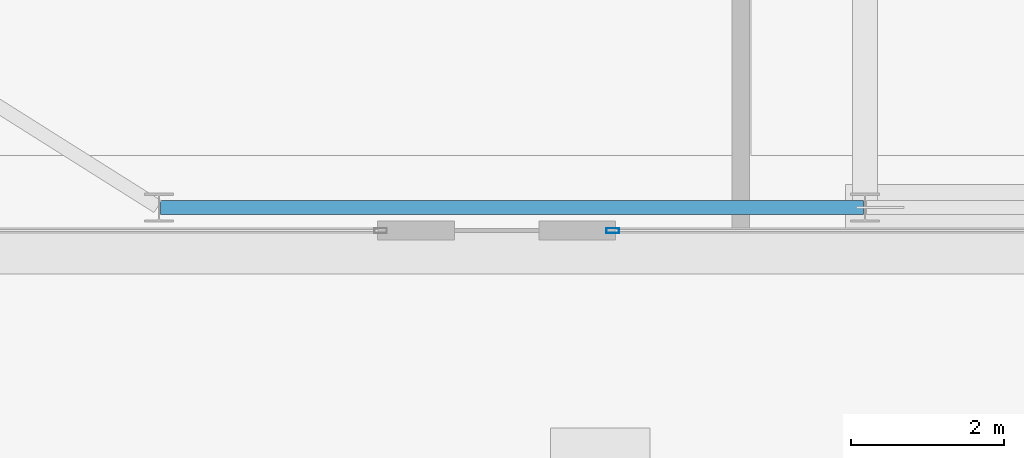
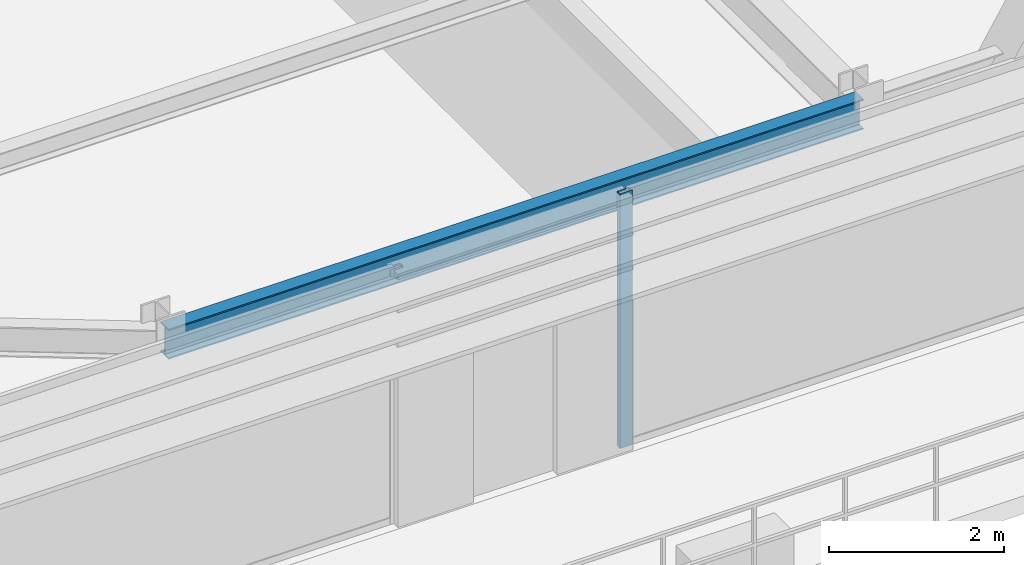
# One storey, part 5 of 33: 1 beam, 1 member, 1 element without a shape of its own.
"""IFC4 building model written with IfcOpenShell, lengths in metres."""

from ifc_helpers import new_model, si_unit, direction, frame, origin, origin_2d, place, context, subcontext, project, spatial, hollow_rectangle, i_section, extrude, source, transform, mapped, material, layer, layer_set, material_profile, profile_set, type_object, type_shapes, element, aggregate, save


model = new_model("IFC4")

# Units and contexts
model_context = context("Model", 3, precision=1e-05, world=origin(), true_north=direction((0.0, 1.0)))
body_context = subcontext(model_context, "Body", "Model", "MODEL_VIEW")
ifc_project = project(units=[si_unit("LENGTHUNIT", "METRE"), si_unit("AREAUNIT", "SQUARE_METRE"), si_unit("VOLUMEUNIT", "CUBIC_METRE"), si_unit("PLANEANGLEUNIT", "RADIAN"), si_unit("MASSUNIT", "GRAM", prefix="KILO")], contexts=[model_context])

# Site, building, storey
site_placement = place(None, origin())
site = spatial("IfcSite", under=ifc_project, at=site_placement, CompositionType="ELEMENT")
building_placement = place(site_placement, origin())
building = spatial("IfcBuilding", under=site, at=building_placement, Name="Varnel Quay Broadcast Tower", CompositionType="ELEMENT")
storey_placement = place(building_placement, frame((0.0, 0.0, 145.800048828125)))
storey = spatial("IfcBuildingStorey", under=building, at=storey_placement, Name="L35", CompositionType="ELEMENT", Elevation=145.800048828125)

# Beam
ifc_material_1 = material(Name="Structural Steel CSA G40.21 350W", Category="steel")
ifc_material_profile_1 = material_profile(ifc_material_1, i_section(OverallWidth=0.180908203125, OverallDepth=0.4169921875, WebThickness=0.010986328125, FlangeThickness=0.018310546875, FilletRadius=0.011962890625, at=origin_2d()), Name="W410X85")
ifc_profile_set_1 = profile_set([ifc_material_profile_1], Name="Structural Steel CSA G40.21 350W")
beam_type = type_object("IfcBeamType", Name="Beam_W410X85", PredefinedType="SPANDREL", material=ifc_profile_set_1)
shared_shape_1 = source(origin(), body_context, "Body", "SweptSolid", [
    extrude(i_section(OverallWidth=0.180908203125, OverallDepth=0.4169921875, WebThickness=0.010986328125, FlangeThickness=0.018310546875, FilletRadius=0.011962890625, at=origin_2d()), origin(), (0.0, 0.0, 1.0), 9.159912109375),
])
type_shapes(beam_type, [shared_shape_1])
beam_placement = place(storey_placement, frame((15.6201171875, 7.64990234375, 3.341552734375), z_axis=(1.0, 0.0, 0.0), x_axis=(0.0, 1.0, 0.0)))
element("IfcBeam", 1, at=beam_placement, inside=storey, type_object=beam_type, Name="L35 South Spandrel TC-S1-TC-S2", PredefinedType="SPANDREL", context=body_context, shape_type="MappedRepresentation", body=[
    mapped(shared_shape_1, transform((0.0, 0.0, 0.0), x_axis=(1.0, 0.0, 0.0), y_axis=(0.0, 1.0, 0.0), z_axis=(0.0, 0.0, 1.0), scale=1.0)),
])

# Curtain wall, member
ifc_material_2 = material(Name="Anodised Bronze Aluminium 6063-T6", Category="aluminium")
ifc_layer = layer(ifc_material_2, 0.18994140625, Name="Anodised Bronze Aluminium 6063-T6")
ifc_layer_set = layer_set([ifc_layer], Name="Anodised Bronze Aluminium 6063-T6")
curtain_wall_type = type_object("IfcCurtainWallType", Name="CW_UpperTower", PredefinedType="NOTDEFINED", material=ifc_layer_set)
curtain_wall_placement = place(storey_placement, origin())
curtain_wall = element("IfcCurtainWall", 2, at=curtain_wall_placement, inside=storey, type_object=curtain_wall_type, Name="L35 South Unitised Curtain Wall 2", PredefinedType="NOTDEFINED")
ifc_material_profile_2 = material_profile(ifc_material_2, hollow_rectangle(XDim=0.06494140625, YDim=0.1650390625, WallThickness=0.00341796875, at=origin_2d()), Name="ALU65X165X3.5")
ifc_profile_set_2 = profile_set([ifc_material_profile_2], Name="Anodised Bronze Aluminium 6063-T6")
member_type = type_object("IfcMemberType", Name="Mull_CWS-03", PredefinedType="MULLION", material=ifc_profile_set_2)
shared_shape_2 = source(origin(), body_context, "Body", "SweptSolid", [
    extrude(hollow_rectangle(XDim=0.06494140625, YDim=0.1650390625, WallThickness=0.00341796875, at=origin_2d()), origin(), (0.0, 0.0, 1.0), 3.550048828125),
])
type_shapes(member_type, [shared_shape_2])
member_placement = place(storey_placement, frame((21.512451171875, 7.35009765625, 0.0), z_axis=(0.0, 0.0, 1.0), x_axis=(0.0, 1.0, 0.0)))
member = element("IfcMember", 3, at=member_placement, type_object=member_type, Name="CWS-03 mullion 1", PredefinedType="MULLION", context=body_context, shape_type="MappedRepresentation", body=[
    mapped(shared_shape_2, transform((0.0, 0.0, 0.0), x_axis=(1.0, 0.0, 0.0), y_axis=(0.0, 1.0, 0.0), z_axis=(0.0, 0.0, 1.0), scale=1.0)),
])
aggregate(curtain_wall, [member])

save(model, "model.ifc")
